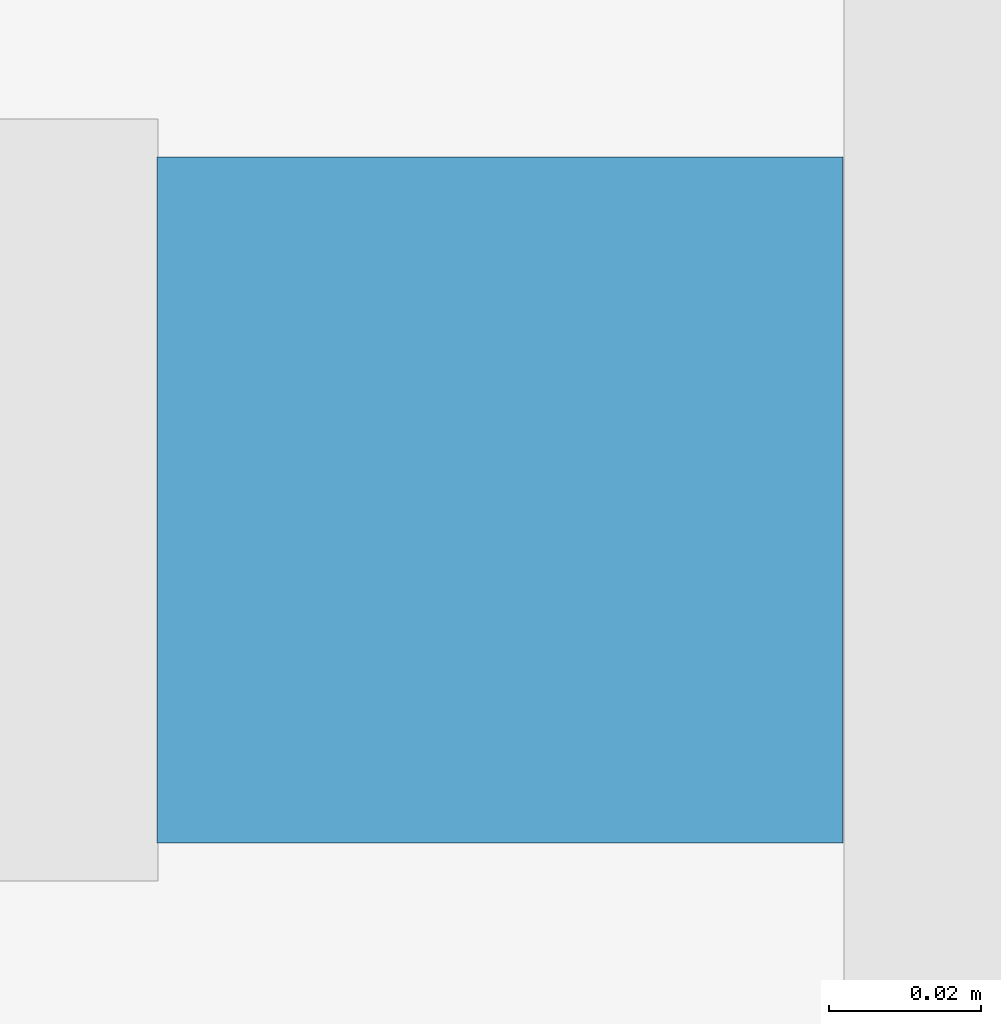
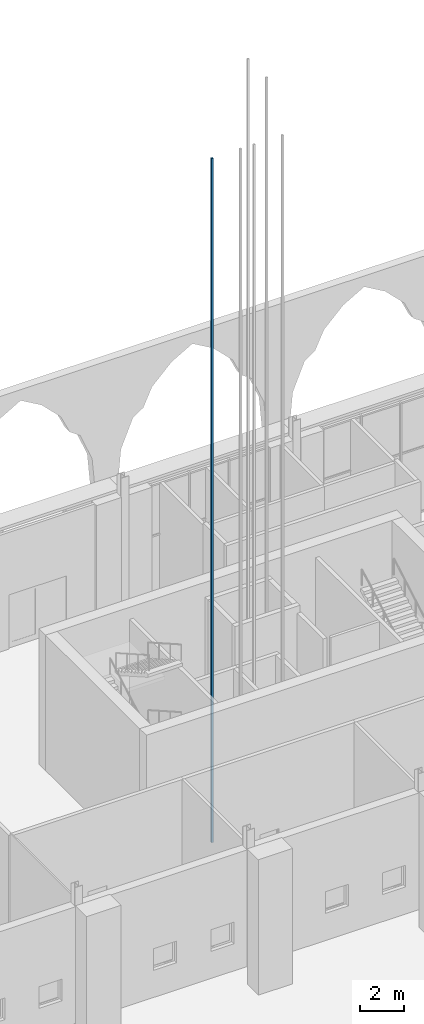
# One storey, part 146 of 250: 1 discrete accessory.
"""IFC4 building model written with IfcOpenShell, lengths in metres."""

from ifc_helpers import new_model, si_unit, direction, frame, origin, origin_2d, place, context, subcontext, project, spatial, rectangle, extrude, material, type_object, element, save


model = new_model("IFC4")

# Units and contexts
model_context = context("Model", 3, precision=1e-05, world=origin(), true_north=direction((0.0, 1.0)))
body_context = subcontext(model_context, "Body", "Model", "MODEL_VIEW")
ifc_project = project(units=[si_unit("LENGTHUNIT", "METRE"), si_unit("AREAUNIT", "SQUARE_METRE"), si_unit("VOLUMEUNIT", "CUBIC_METRE"), si_unit("PLANEANGLEUNIT", "RADIAN"), si_unit("MASSUNIT", "GRAM", prefix="KILO")], contexts=[model_context])

# Site, building, storey
site_placement = place(None, origin())
site = spatial("IfcSite", under=ifc_project, at=site_placement, CompositionType="ELEMENT")
building_placement = place(site_placement, origin())
building = spatial("IfcBuilding", under=site, at=building_placement, Name="Baradari Gate Terminus", CompositionType="ELEMENT")
storey_placement = place(building_placement, origin())
storey = spatial("IfcBuildingStorey", under=building, at=storey_placement, Name="L00", CompositionType="ELEMENT", Elevation=0.0)

# Discrete accessory
ifc_material = material(Name="Steel S355", Category="steel")
discrete_accessory_type = type_object("IfcDiscreteAccessoryType", Name="Lift guide rail GR-L1 90x90", PredefinedType="BRACKET", material=ifc_material)
discrete_accessory_placement = place(storey_placement, frame((31.47998046875, 128.074951171875, -1.599853515625), z_axis=(0.0, 0.0, 1.0), x_axis=(1.0, 0.0, 0.0)))
element("IfcDiscreteAccessory", 1, at=discrete_accessory_placement, inside=storey, type_object=discrete_accessory_type, Name="Lift guide rail LT1 1", PredefinedType="BRACKET", context=body_context, shape_type="SweptSolid", body=[
    extrude(rectangle(XDim=0.090087890625, YDim=0.090087890625, at=origin_2d()), origin(), (0.0, 0.0, 1.0), 37.89990234375),
])

save(model, "model.ifc")
